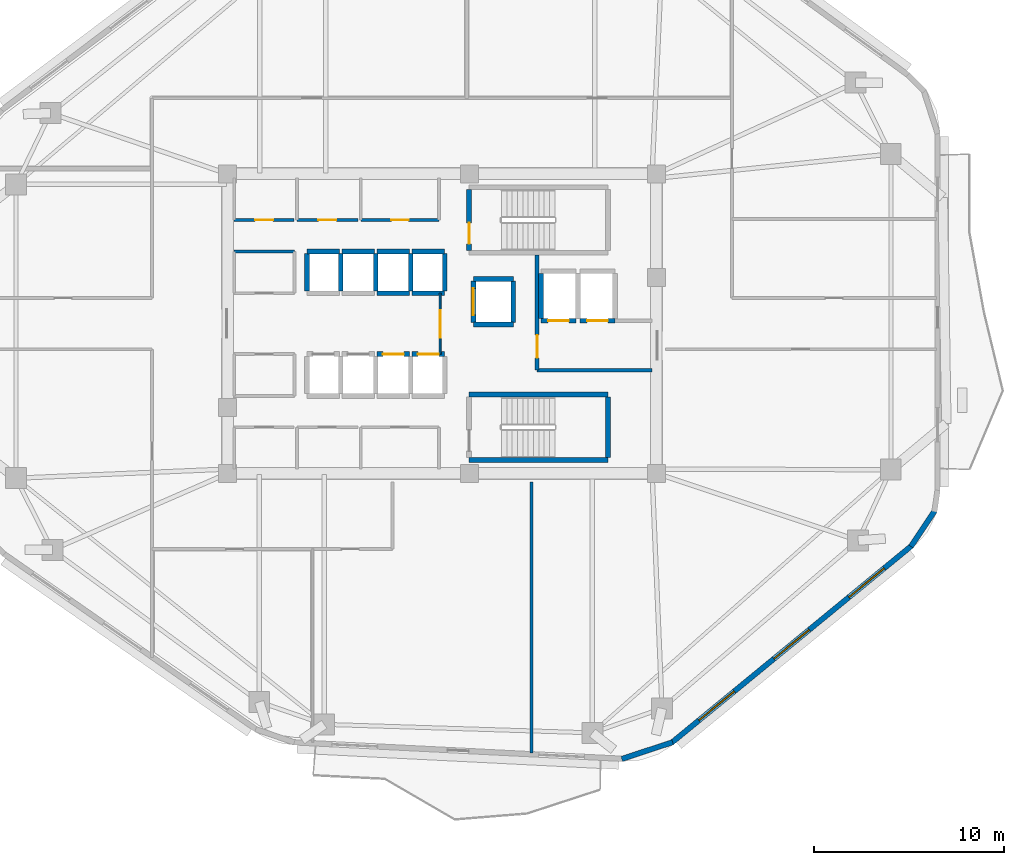
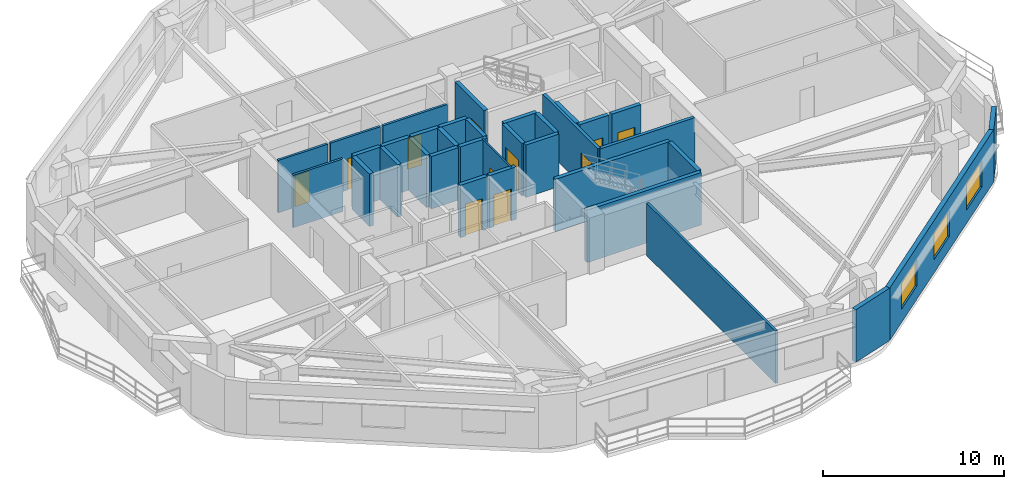
# One storey, part 9 of 14: 35 walls, 11 doors, 3 windows, 14 openings.
"""IFC4 building model written with IfcOpenShell, lengths in metres."""

from ifc_helpers import new_model, si_unit, direction, frame, frame_2d, origin, place, context, subcontext, project, spatial, rectangle, extrude, material, layer, layer_set, type_object, element, fill, save


model = new_model("IFC4")

# Units and contexts
model_context = context("Model", 3, precision=1e-05, world=origin(), true_north=direction((0.0, 1.0)))
body_context = subcontext(model_context, "Body", "Model", "MODEL_VIEW")
ifc_project = project(units=[si_unit("LENGTHUNIT", "METRE"), si_unit("AREAUNIT", "SQUARE_METRE"), si_unit("VOLUMEUNIT", "CUBIC_METRE"), si_unit("PLANEANGLEUNIT", "RADIAN"), si_unit("MASSUNIT", "GRAM", prefix="KILO")], contexts=[model_context])

# Site, building, storey
site_placement = place(None, origin())
site = spatial("IfcSite", under=ifc_project, at=site_placement, CompositionType="ELEMENT")
building_placement = place(site_placement, origin())
building = spatial("IfcBuilding", under=site, at=building_placement, Name="Zulverin Broadcast Headquarters", CompositionType="ELEMENT")
storey_placement = place(building_placement, frame((0.0, 0.0, 147.800048828125)))
storey = spatial("IfcBuildingStorey", under=building, at=storey_placement, Name="L37", CompositionType="ELEMENT", Elevation=147.800048828125)

# Wall, openings, windows
ifc_material_1 = material(Name="Insulated pale-metal clad concrete spandrel C40/50", Category="concrete")
ifc_layer_1 = layer(ifc_material_1, 0.280029296875, Name="Insulated pale-metal clad concrete spandrel C40/50", Category="concrete")
ifc_layer_set_1 = layer_set([ifc_layer_1], Name="Insulated pale-metal clad concrete spandrel C40/50")
wall_type_1 = type_object("IfcWallType", Name="WL-EXT-280", PredefinedType="STANDARD", material=ifc_layer_set_1)
wall_1_placement = place(storey_placement, frame((49.080078125, 3.164306640625, 0.0), z_axis=(0.0, 0.0, 1.0), x_axis=(0.772937830186, 0.634481765433, 0.0)))
wall_1 = element("IfcWall", 1, at=wall_1_placement, inside=storey, type_object=wall_type_1, Name="L37 Pale-Metal Clad Spandrel Wall 2", PredefinedType="STANDARD", context=body_context, shape_type="SweptSolid", body=[
    extrude(rectangle(XDim=16.308837890625, YDim=0.280029296875, at=frame_2d((8.154296875, 0.0))), origin(), (0.0, 0.0, 1.0), 3.5400390625),
])
opening_1_placement = place(wall_1_placement, frame((1.8515625, 0.0, 0.89990234375)))
opening_1 = element("IfcOpeningElement", 2, at=opening_1_placement, cuts=wall_1, Name="Opening W-L37-E21", PredefinedType="OPENING", context=body_context, shape_type="SweptSolid", body=[
    extrude(rectangle(XDim=2.39990234375, YDim=1.75, at=frame_2d((1.199951171875, 0.875))), frame((0.0, 0.14990234375, 0.0), z_axis=(0.0, -1.0, 0.0), x_axis=(1.0, 0.0, 0.0)), (0.0, 0.0, 1.0), 0.300048828125),
])
opening_2_placement = place(wall_1_placement, frame((6.954345703125, 0.0, 0.89990234375)))
opening_2 = element("IfcOpeningElement", 3, at=opening_2_placement, cuts=wall_1, Name="Opening W-L37-E22", PredefinedType="OPENING", context=body_context, shape_type="SweptSolid", body=[
    extrude(rectangle(XDim=2.39990234375, YDim=1.75, at=frame_2d((1.199951171875, 0.875))), frame((0.0, 0.14990234375, 0.0), z_axis=(0.0, -1.0, 0.0), x_axis=(1.0, 0.0, 0.0)), (0.0, 0.0, 1.0), 0.300048828125),
])
opening_3_placement = place(wall_1_placement, frame((12.057373046875, 0.0, 0.89990234375)))
opening_3 = element("IfcOpeningElement", 4, at=opening_3_placement, cuts=wall_1, Name="Opening W-L37-E23", PredefinedType="OPENING", context=body_context, shape_type="SweptSolid", body=[
    extrude(rectangle(XDim=2.39990234375, YDim=1.75, at=frame_2d((1.199951171875, 0.875))), frame((0.0, 0.14990234375, 0.0), z_axis=(0.0, -1.0, 0.0), x_axis=(1.0, 0.0, 0.0)), (0.0, 0.0, 1.0), 0.300048828125),
])
ifc_material_2 = material(Name="Pale anodized aluminium frame with solar-control low-E double glazing", Category="aluminium")
window_type = type_object("IfcWindowType", Name="WIN-RIB-2400", PartitioningType="SINGLE_PANEL", PredefinedType="WINDOW", material=ifc_material_2)
window_1_placement = place(opening_1_placement, origin())
window_1 = element("IfcWindow", 5, at=window_1_placement, inside=storey, type_object=window_type, Name="L37 Ribbon Glazing Window 2 1", OverallHeight=1.75, OverallWidth=2.39990234375, PartitioningType="SINGLE_PANEL", PredefinedType="WINDOW", context=body_context, shape_type="SweptSolid", body=[
    extrude(rectangle(XDim=2.39990234375, YDim=1.75, at=frame_2d((1.199951171875, 0.875))), frame((0.0, 0.030029296875, 0.0), z_axis=(0.0, -1.0, 0.0), x_axis=(1.0, 0.0, 0.0)), (0.0, 0.0, 1.0), 0.06005859375),
])
fill(opening_1, window_1)
window_2_placement = place(opening_2_placement, origin())
window_2 = element("IfcWindow", 6, at=window_2_placement, inside=storey, type_object=window_type, Name="L37 Ribbon Glazing Window 2 2", OverallHeight=1.75, OverallWidth=2.39990234375, PartitioningType="SINGLE_PANEL", PredefinedType="WINDOW", context=body_context, shape_type="SweptSolid", body=[
    extrude(rectangle(XDim=2.39990234375, YDim=1.75, at=frame_2d((1.199951171875, 0.875))), frame((0.0, 0.030029296875, 0.0), z_axis=(0.0, -1.0, 0.0), x_axis=(1.0, 0.0, 0.0)), (0.0, 0.0, 1.0), 0.06005859375),
])
fill(opening_2, window_2)
window_3_placement = place(opening_3_placement, origin())
window_3 = element("IfcWindow", 7, at=window_3_placement, inside=storey, type_object=window_type, Name="L37 Ribbon Glazing Window 2 3", OverallHeight=1.75, OverallWidth=2.39990234375, PartitioningType="SINGLE_PANEL", PredefinedType="WINDOW", context=body_context, shape_type="SweptSolid", body=[
    extrude(rectangle(XDim=2.39990234375, YDim=1.75, at=frame_2d((1.199951171875, 0.875))), frame((0.0, 0.030029296875, 0.0), z_axis=(0.0, -1.0, 0.0), x_axis=(1.0, 0.0, 0.0)), (0.0, 0.0, 1.0), 0.06005859375),
])
fill(opening_3, window_3)

# Walls
wall_2_placement = place(storey_placement, frame((46.455078125, 2.30859375, 0.0), z_axis=(0.0, 0.0, 1.0), x_axis=(0.949677222099, 0.313230224955, 0.0)))
element("IfcWall", 8, at=wall_2_placement, inside=storey, type_object=wall_type_1, Name="L37 Wind-Shaped Corner Spandrel Wall 1-1", PredefinedType="STANDARD", context=body_context, shape_type="SweptSolid", body=[
    extrude(rectangle(XDim=2.811279296875, YDim=0.280029296875, at=frame_2d((1.40576171875, 0.0))), origin(), (0.0, 0.0, 1.0), 3.5400390625),
])
wall_3_placement = place(storey_placement, frame((61.658203125, 13.481689453125, 0.0), z_axis=(0.0, 0.0, 1.0), x_axis=(0.555521224344, 0.831502356764, 0.0)))
element("IfcWall", 9, at=wall_3_placement, inside=storey, type_object=wall_type_1, Name="L37 Wind-Shaped Corner Spandrel Wall 2-1", PredefinedType="STANDARD", context=body_context, shape_type="SweptSolid", body=[
    extrude(rectangle(XDim=2.263671875, YDim=0.280029296875, at=frame_2d((1.1318359375, 0.0))), origin(), (0.0, 0.0, 1.0), 3.5400390625),
])

# Wall, opening, door
ifc_material_3 = material(Name="Concrete C40/50", Category="concrete")
ifc_layer_2 = layer(ifc_material_3, 0.199951171875, Name="Concrete C40/50", Category="concrete")
ifc_layer_set_2 = layer_set([ifc_layer_2], Name="Concrete C40/50")
wall_type_2 = type_object("IfcWallType", Name="WL-FFL-200", PredefinedType="SOLIDWALL", material=ifc_layer_set_2)
wall_4_placement = place(storey_placement, frame((42.0, 22.75, 0.0), z_axis=(0.0, 0.0, 1.0), x_axis=(0.0, 1.0, 0.0)))
wall_4 = element("IfcWall", 10, at=wall_4_placement, inside=storey, type_object=wall_type_2, Name="L37 Firefighting Lift Lobby West Wall", PredefinedType="SOLIDWALL", context=body_context, shape_type="SweptSolid", body=[
    extrude(rectangle(XDim=6.050048828125, YDim=0.199951171875, at=frame_2d((3.02490234375, 0.0))), origin(), (0.0, 0.0, 1.0), 3.5400390625),
])
opening_4_placement = place(wall_4_placement, frame((0.64990234375, 0.0, 0.0)))
opening_4 = element("IfcOpeningElement", 11, at=opening_4_placement, cuts=wall_4, Name="Opening D-L37-FFLW", PredefinedType="OPENING", context=body_context, shape_type="SweptSolid", body=[
    extrude(rectangle(XDim=1.199951171875, YDim=2.14990234375, at=frame_2d((0.60009765625, 1.074951171875))), frame((0.0, 0.10986328125, 0.0), z_axis=(0.0, -1.0, 0.0), x_axis=(1.0, 0.0, 0.0)), (0.0, 0.0, 1.0), 0.219970703125),
])
ifc_material_4 = material(Name="Fire-rated steel leaf and frame", Category="steel")
door_type_1 = type_object("IfcDoorType", Name="DR-FFL-1200", OperationType="SINGLE_SWING_RIGHT", PredefinedType="DOOR", material=ifc_material_4)
door_1_placement = place(opening_4_placement, origin())
door_1 = element("IfcDoor", 12, at=door_1_placement, inside=storey, type_object=door_type_1, Name="L37 Firefighting Lift Lobby Door", OperationType="SINGLE_SWING_RIGHT", OverallHeight=2.14990234375, OverallWidth=1.199951171875, PredefinedType="DOOR", context=body_context, shape_type="SweptSolid", body=[
    extrude(rectangle(XDim=1.199951171875, YDim=2.14990234375, at=frame_2d((0.60009765625, 1.074951171875))), frame((0.0, 0.02490234375, 0.0), z_axis=(0.0, -1.0, 0.0), x_axis=(1.0, 0.0, 0.0)), (0.0, 0.0, 1.0), 0.050048828125),
])
fill(opening_4, door_1)

# Wall
wall_5_placement = place(storey_placement, frame((42.0, 22.75, 0.0), z_axis=(0.0, 0.0, 1.0), x_axis=(1.0, 0.0, 0.0)))
element("IfcWall", 13, at=wall_5_placement, inside=storey, type_object=wall_type_2, Name="L37 Firefighting Lift Lobby South Wall", PredefinedType="SOLIDWALL", context=body_context, shape_type="SweptSolid", body=[
    extrude(rectangle(XDim=6.050048828125, YDim=0.199951171875, at=frame_2d((3.02490234375, 0.0))), origin(), (0.0, 0.0, 1.0), 3.5400390625),
])

# Wall, opening, door
ifc_material_5 = material(Name="Fire-rated acoustic laminated glass screen", Category="glass")
ifc_layer_3 = layer(ifc_material_5, 0.10009765625, Name="Fire-rated acoustic laminated glass screen", Category="glass")
ifc_layer_set_3 = layer_set([ifc_layer_3], Name="Fire-rated acoustic laminated glass screen")
wall_type_3 = type_object("IfcWallType", Name="WL-GLAZ-100", PredefinedType="PARTITIONING", material=ifc_layer_set_3)
wall_6_placement = place(storey_placement, frame((36.89990234375, 23.60009765625, 0.0), z_axis=(0.0, 0.0, 1.0), x_axis=(0.0, 1.0, 0.0)))
wall_6 = element("IfcWall", 14, at=wall_6_placement, inside=storey, type_object=wall_type_3, Name="L37 Core Goods & Stair Hall Screen", PredefinedType="PARTITIONING", context=body_context, shape_type="SweptSolid", body=[
    extrude(rectangle(XDim=3.199951171875, YDim=0.10009765625, at=frame_2d((1.60009765625, 0.0))), origin(), (0.0, 0.0, 1.0), 3.5400390625),
])
opening_5_placement = place(wall_6_placement, frame((0.85009765625, 0.0, 0.0)))
opening_5 = element("IfcOpeningElement", 15, at=opening_5_placement, cuts=wall_6, Name="Opening D-L37-CL3", PredefinedType="OPENING", context=body_context, shape_type="SweptSolid", body=[
    extrude(rectangle(XDim=1.449951171875, YDim=2.1201171875, at=frame_2d((0.72509765625, 1.06005859375))), frame((0.0, 0.06005859375, 0.0), z_axis=(0.0, -1.0, 0.0), x_axis=(1.0, 0.0, 0.0)), (0.0, 0.0, 1.0), 0.1201171875),
])
ifc_material_6 = material(Name="Fire-rated acoustic glazed double leaf", Category="glass")
door_type_2 = type_object("IfcDoorType", Name="DR-GLZ-1450", OperationType="DOUBLE_DOOR_SINGLE_SWING", PredefinedType="DOOR", material=ifc_material_6)
door_2_placement = place(opening_5_placement, origin())
door_2 = element("IfcDoor", 16, at=door_2_placement, inside=storey, type_object=door_type_2, Name="L37 Core Goods & Stair Hall Door", OperationType="DOUBLE_DOOR_SINGLE_SWING", OverallHeight=2.1201171875, OverallWidth=1.449951171875, PredefinedType="DOOR", context=body_context, shape_type="SweptSolid", body=[
    extrude(rectangle(XDim=1.449951171875, YDim=2.1201171875, at=frame_2d((0.72509765625, 1.06005859375))), frame((0.0, 0.02490234375, 0.0), z_axis=(0.0, -1.0, 0.0), x_axis=(1.0, 0.0, 0.0)), (0.0, 0.0, 1.0), 0.050048828125),
])
fill(opening_5, door_2)

ifc_material_7 = material(Name="Fire-rated gypsum stud partition", Category="gypsum")
ifc_layer_4 = layer(ifc_material_7, 0.14990234375, Name="Fire-rated gypsum stud partition", Category="gypsum")
ifc_layer_set_4 = layer_set([ifc_layer_4], Name="Fire-rated gypsum stud partition")
wall_type_4 = type_object("IfcWallType", Name="WL-PART-150", PredefinedType="PARTITIONING", material=ifc_layer_set_4)
wall_7_placement = place(storey_placement, frame((26.070068359375, 30.64990234375, 0.0), z_axis=(0.0, 0.0, 1.0), x_axis=(1.0, 0.0, 0.0)))
wall_7 = element("IfcWall", 17, at=wall_7_placement, inside=storey, type_object=wall_type_4, Name="L37 Core Male WC Front Wall", PredefinedType="PARTITIONING", context=body_context, shape_type="SweptSolid", body=[
    extrude(rectangle(XDim=3.14990234375, YDim=0.14990234375, at=frame_2d((1.574951171875, 0.0))), origin(), (0.0, 0.0, 1.0), 3.5400390625),
])
opening_6_placement = place(wall_7_placement, frame((1.10009765625, 0.0, 0.0)))
opening_6 = element("IfcOpeningElement", 18, at=opening_6_placement, cuts=wall_7, Name="Opening D-L37-NC1", PredefinedType="OPENING", context=body_context, shape_type="SweptSolid", body=[
    extrude(rectangle(XDim=0.949951171875, YDim=2.10009765625, at=frame_2d((0.47509765625, 1.050048828125))), frame((0.0, 0.0849609375, 0.0), z_axis=(0.0, -1.0, 0.0), x_axis=(1.0, 0.0, 0.0)), (0.0, 0.0, 1.0), 0.169921875),
])
ifc_material_8 = material(Name="Fire-rated moisture-resistant laminate leaf", Category="wood")
door_type_3 = type_object("IfcDoorType", Name="DR-WC-950", OperationType="SINGLE_SWING_LEFT", PredefinedType="DOOR", material=ifc_material_8)
door_3_placement = place(opening_6_placement, origin())
door_3 = element("IfcDoor", 19, at=door_3_placement, inside=storey, type_object=door_type_3, Name="L37 Male WC Door", OperationType="SINGLE_SWING_LEFT", OverallHeight=2.10009765625, OverallWidth=0.949951171875, PredefinedType="DOOR", context=body_context, shape_type="SweptSolid", body=[
    extrude(rectangle(XDim=0.949951171875, YDim=2.10009765625, at=frame_2d((0.47509765625, 1.050048828125))), frame((0.0, 0.02490234375, 0.0), z_axis=(0.0, -1.0, 0.0), x_axis=(1.0, 0.0, 0.0)), (0.0, 0.0, 1.0), 0.050048828125),
])
fill(opening_6, door_3)

wall_8_placement = place(storey_placement, frame((29.3798828125, 30.64990234375, 0.0), z_axis=(0.0, 0.0, 1.0), x_axis=(1.0, 0.0, 0.0)))
wall_8 = element("IfcWall", 20, at=wall_8_placement, inside=storey, type_object=wall_type_4, Name="L37 Core Accessible WC Front Wall", PredefinedType="PARTITIONING", context=body_context, shape_type="SweptSolid", body=[
    extrude(rectangle(XDim=3.190185546875, YDim=0.14990234375, at=frame_2d((1.59521484375, 0.0))), origin(), (0.0, 0.0, 1.0), 3.5400390625),
])
opening_7_placement = place(wall_8_placement, frame((1.1201171875, 0.0, 0.0)))
opening_7 = element("IfcOpeningElement", 21, at=opening_7_placement, cuts=wall_8, Name="Opening D-L37-NC2", PredefinedType="OPENING", context=body_context, shape_type="SweptSolid", body=[
    extrude(rectangle(XDim=0.949951171875, YDim=2.10009765625, at=frame_2d((0.47509765625, 1.050048828125))), frame((0.0, 0.0849609375, 0.0), z_axis=(0.0, -1.0, 0.0), x_axis=(1.0, 0.0, 0.0)), (0.0, 0.0, 1.0), 0.169921875),
])
door_4_placement = place(opening_7_placement, origin())
door_4 = element("IfcDoor", 22, at=door_4_placement, inside=storey, type_object=door_type_3, Name="L37 Accessible WC Door", OperationType="SINGLE_SWING_RIGHT", OverallHeight=2.10009765625, OverallWidth=0.949951171875, PredefinedType="DOOR", context=body_context, shape_type="SweptSolid", body=[
    extrude(rectangle(XDim=0.949951171875, YDim=2.10009765625, at=frame_2d((0.47509765625, 1.050048828125))), frame((0.0, 0.02490234375, 0.0), z_axis=(0.0, -1.0, 0.0), x_axis=(1.0, 0.0, 0.0)), (0.0, 0.0, 1.0), 0.050048828125),
])
fill(opening_7, door_4)

wall_9_placement = place(storey_placement, frame((32.72998046875, 30.64990234375, 0.0), z_axis=(0.0, 0.0, 1.0), x_axis=(1.0, 0.0, 0.0)))
wall_9 = element("IfcWall", 23, at=wall_9_placement, inside=storey, type_object=wall_type_4, Name="L37 Core Electrical Distribution Riser Front Wall", PredefinedType="PARTITIONING", context=body_context, shape_type="SweptSolid", body=[
    extrude(rectangle(XDim=4.1201171875, YDim=0.14990234375, at=frame_2d((2.06005859375, 0.0))), origin(), (0.0, 0.0, 1.0), 3.5400390625),
])
opening_8_placement = place(wall_9_placement, frame((1.610107421875, 0.0, 0.0)))
opening_8 = element("IfcOpeningElement", 24, at=opening_8_placement, cuts=wall_9, Name="Opening D-L37-NC3", PredefinedType="OPENING", context=body_context, shape_type="SweptSolid", body=[
    extrude(rectangle(XDim=0.89990234375, YDim=2.10009765625, at=frame_2d((0.449951171875, 1.050048828125))), frame((0.0, 0.0849609375, 0.0), z_axis=(0.0, -1.0, 0.0), x_axis=(1.0, 0.0, 0.0)), (0.0, 0.0, 1.0), 0.169921875),
])
ifc_material_9 = material(Name="Powder-coated steel access leaf", Category="steel")
door_type_4 = type_object("IfcDoorType", Name="DR-RISER-900", OperationType="SINGLE_SWING_LEFT", PredefinedType="DOOR", material=ifc_material_9)
door_5_placement = place(opening_8_placement, origin())
door_5 = element("IfcDoor", 25, at=door_5_placement, inside=storey, type_object=door_type_4, Name="L37 Electrical Distribution Riser Door", OperationType="SINGLE_SWING_LEFT", OverallHeight=2.10009765625, OverallWidth=0.89990234375, PredefinedType="DOOR", context=body_context, shape_type="SweptSolid", body=[
    extrude(rectangle(XDim=0.89990234375, YDim=2.10009765625, at=frame_2d((0.449951171875, 1.050048828125))), frame((0.0, 0.02490234375, 0.0), z_axis=(0.0, -1.0, 0.0), x_axis=(1.0, 0.0, 0.0)), (0.0, 0.0, 1.0), 0.050048828125),
])
fill(opening_8, door_5)

# Walls
wall_10_placement = place(storey_placement, frame((26.070068359375, 29.0, 0.0), z_axis=(0.0, 0.0, 1.0), x_axis=(1.0, 0.0, 0.0)))
element("IfcWall", 26, at=wall_10_placement, inside=storey, type_object=wall_type_4, Name="L37 Core UPS Battery Store N Wall", PredefinedType="PARTITIONING", context=body_context, shape_type="SweptSolid", body=[
    extrude(rectangle(XDim=3.179931640625, YDim=0.14990234375, at=frame_2d((1.58984375, 0.0))), origin(), (0.0, 0.0, 1.0), 3.5400390625),
])
wall_11_placement = place(storey_placement, frame((41.699951171875, 2.621337890625, 0.0), z_axis=(0.0, 0.0, 1.0), x_axis=(0.0, 1.0, 0.0)))
element("IfcWall", 27, at=wall_11_placement, inside=storey, type_object=wall_type_4, Name="L37 Room Partition Wall RP-02", PredefinedType="PARTITIONING", context=body_context, shape_type="SweptSolid", body=[
    extrude(rectangle(XDim=14.23876953125, YDim=0.14990234375, at=frame_2d((7.119384765625, 0.0))), origin(), (0.0, 0.0, 1.0), 3.5400390625),
])

# Wall, opening, door
ifc_material_10 = material(Name="Concrete C50/60", Category="concrete")
ifc_layer_5 = layer(ifc_material_10, 0.25, Name="Concrete C50/60", Category="concrete")
ifc_layer_set_5 = layer_set([ifc_layer_5], Name="Concrete C50/60")
wall_type_5 = type_object("IfcWallType", Name="WL-SHAFT-250", PredefinedType="SHEAR", material=ifc_layer_set_5)
wall_12_placement = place(storey_placement, frame((38.425048828125, 29.050048828125, 0.0), z_axis=(0.0, 0.0, 1.0), x_axis=(0.0, 1.0, 0.0)))
wall_12 = element("IfcWall", 28, at=wall_12_placement, inside=storey, type_object=wall_type_5, Name="L37 ST-1 Enclosure Wall W", PredefinedType="SHEAR", context=body_context, shape_type="SweptSolid", body=[
    extrude(rectangle(XDim=3.199951171875, YDim=0.25, at=frame_2d((1.60009765625, 0.0))), origin(), (0.0, 0.0, 1.0), 3.5400390625),
])
opening_9_placement = place(wall_12_placement, frame((0.35009765625, 0.0, 0.0)))
opening_9 = element("IfcOpeningElement", 29, at=opening_9_placement, cuts=wall_12, Name="Opening D-L37-ST-1", PredefinedType="OPENING", context=body_context, shape_type="SweptSolid", body=[
    extrude(rectangle(XDim=1.10009765625, YDim=2.14990234375, at=frame_2d((0.550048828125, 1.074951171875))), frame((0.0, 0.135009765625, 0.0), z_axis=(0.0, -1.0, 0.0), x_axis=(1.0, 0.0, 0.0)), (0.0, 0.0, 1.0), 0.27001953125),
])
door_type_5 = type_object("IfcDoorType", Name="DR-STAIR-1100", OperationType="SINGLE_SWING_LEFT", PredefinedType="DOOR", material=ifc_material_4)
door_6_placement = place(opening_9_placement, origin())
door_6 = element("IfcDoor", 30, at=door_6_placement, inside=storey, type_object=door_type_5, Name="L37 Exit Stair ST-1 Fire Door", OperationType="SINGLE_SWING_LEFT", OverallHeight=2.14990234375, OverallWidth=1.10009765625, PredefinedType="DOOR", context=body_context, shape_type="SweptSolid", body=[
    extrude(rectangle(XDim=1.10009765625, YDim=2.14990234375, at=frame_2d((0.550048828125, 1.074951171875))), frame((0.0, 0.02490234375, 0.0), z_axis=(0.0, -1.0, 0.0), x_axis=(1.0, 0.0, 0.0)), (0.0, 0.0, 1.0), 0.050048828125),
])
fill(opening_9, door_6)

# Walls
for number, where, z_axis, x_axis, name in (
    (31, (38.425048828125, 18.02490234375, 0.0), (0.0, 0.0, 1.0), (1.0, 0.0, 0.0), "L37 ST-2 Enclosure Wall S"),
    (32, (38.425048828125, 21.47509765625, 0.0), (0.0, 0.0, 1.0), (1.0, 0.0, 0.0), "L37 ST-2 Enclosure Wall N"),
):
    element("IfcWall", number, at=place(storey_placement, frame(where, z_axis=z_axis, x_axis=x_axis)), inside=storey, type_object=wall_type_5, Name=name, PredefinedType="SHEAR", context=body_context, shape_type="SweptSolid", body=[
        extrude(rectangle(XDim=7.300048828125, YDim=0.25, at=frame_2d((3.64990234375, 0.0))), origin(), (0.0, 0.0, 1.0), 3.5400390625),
    ])
wall_13_placement = place(storey_placement, frame((45.72509765625, 18.14990234375, 0.0), z_axis=(0.0, 0.0, 1.0), x_axis=(0.0, 1.0, 0.0)))
element("IfcWall", 33, at=wall_13_placement, inside=storey, type_object=wall_type_5, Name="L37 ST-2 Enclosure Wall E", PredefinedType="SHEAR", context=body_context, shape_type="SweptSolid", body=[
    extrude(rectangle(XDim=3.2001953125, YDim=0.25, at=frame_2d((1.60009765625, 0.0))), origin(), (0.0, 0.0, 1.0), 3.5400390625),
])

# Wall, opening, door
wall_14_placement = place(storey_placement, frame((33.580078125, 23.60009765625, 0.0), z_axis=(0.0, 0.0, 1.0), x_axis=(1.0, 0.0, 0.0)))
wall_14 = element("IfcWall", 34, at=wall_14_placement, inside=storey, type_object=wall_type_5, Name="L37 Lift PL-M3 Shaft Wall N", PredefinedType="SHEAR", context=body_context, shape_type="SweptSolid", body=[
    extrude(rectangle(XDim=1.719970703125, YDim=0.25, at=frame_2d((0.85986328125, 0.0))), origin(), (0.0, 0.0, 1.0), 3.5400390625),
])
opening_10_placement = place(wall_14_placement, frame((0.31005859375, 0.0, 0.0)))
opening_10 = element("IfcOpeningElement", 35, at=opening_10_placement, cuts=wall_14, Name="Opening LD-PL-M3-L37", PredefinedType="OPENING", context=body_context, shape_type="SweptSolid", body=[
    extrude(rectangle(XDim=1.10009765625, YDim=2.14990234375, at=frame_2d((0.550048828125, 1.074951171875))), frame((0.0, 0.135009765625, 0.0), z_axis=(0.0, -1.0, 0.0), x_axis=(1.0, 0.0, 0.0)), (0.0, 0.0, 1.0), 0.27001953125),
])
ifc_material_11 = material(Name="Brushed stainless steel landing", Category="steel")
door_type_6 = type_object("IfcDoorType", Name="LD-PASS-1100", OperationType="DOUBLE_DOOR_SLIDING", PredefinedType="DOOR", material=ifc_material_11)
door_7_placement = place(opening_10_placement, origin())
door_7 = element("IfcDoor", 36, at=door_7_placement, inside=storey, type_object=door_type_6, Name="L37 Lift PL-M3 Sliding Landing Door", OperationType="DOUBLE_DOOR_SLIDING", OverallHeight=2.14990234375, OverallWidth=1.10009765625, PredefinedType="DOOR", context=body_context, shape_type="SweptSolid", body=[
    extrude(rectangle(XDim=1.10009765625, YDim=2.14990234375, at=frame_2d((0.550048828125, 1.074951171875))), frame((0.0, 0.02490234375, 0.0), z_axis=(0.0, -1.0, 0.0), x_axis=(1.0, 0.0, 0.0)), (0.0, 0.0, 1.0), 0.050048828125),
])
fill(opening_10, door_7)

wall_15_placement = place(storey_placement, frame((35.419921875, 23.60009765625, 0.0), z_axis=(0.0, 0.0, 1.0), x_axis=(1.0, 0.0, 0.0)))
wall_15 = element("IfcWall", 37, at=wall_15_placement, inside=storey, type_object=wall_type_5, Name="L37 Lift PL-M4 Shaft Wall N", PredefinedType="SHEAR", context=body_context, shape_type="SweptSolid", body=[
    extrude(rectangle(XDim=1.719970703125, YDim=0.25, at=frame_2d((0.85986328125, 0.0))), origin(), (0.0, 0.0, 1.0), 3.5400390625),
])
opening_11_placement = place(wall_15_placement, frame((0.31005859375, 0.0, 0.0)))
opening_11 = element("IfcOpeningElement", 38, at=opening_11_placement, cuts=wall_15, Name="Opening LD-PL-M4-L37", PredefinedType="OPENING", context=body_context, shape_type="SweptSolid", body=[
    extrude(rectangle(XDim=1.10009765625, YDim=2.14990234375, at=frame_2d((0.550048828125, 1.074951171875))), frame((0.0, 0.135009765625, 0.0), z_axis=(0.0, -1.0, 0.0), x_axis=(1.0, 0.0, 0.0)), (0.0, 0.0, 1.0), 0.27001953125),
])
door_8_placement = place(opening_11_placement, origin())
door_8 = element("IfcDoor", 39, at=door_8_placement, inside=storey, type_object=door_type_6, Name="L37 Lift PL-M4 Sliding Landing Door", OperationType="DOUBLE_DOOR_SLIDING", OverallHeight=2.14990234375, OverallWidth=1.10009765625, PredefinedType="DOOR", context=body_context, shape_type="SweptSolid", body=[
    extrude(rectangle(XDim=1.10009765625, YDim=2.14990234375, at=frame_2d((0.550048828125, 1.074951171875))), frame((0.0, 0.02490234375, 0.0), z_axis=(0.0, -1.0, 0.0), x_axis=(1.0, 0.0, 0.0)), (0.0, 0.0, 1.0), 0.050048828125),
])
fill(opening_11, door_8)

# Walls
wall_16_placement = place(storey_placement, frame((29.89990234375, 29.0, 0.0), z_axis=(0.0, 0.0, 1.0), x_axis=(1.0, 0.0, 0.0)))
element("IfcWall", 40, at=wall_16_placement, inside=storey, type_object=wall_type_5, Name="L37 Lift PL-H1 Shaft Wall N", PredefinedType="SHEAR", context=body_context, shape_type="SweptSolid", body=[
    extrude(rectangle(XDim=1.72021484375, YDim=0.25, at=frame_2d((0.860107421875, 0.0))), origin(), (0.0, 0.0, 1.0), 3.5400390625),
])
for number, where, z_axis, x_axis, name in (
    (41, (29.89990234375, 26.919921875, 0.0), (0.0, 0.0, 1.0), (0.0, 1.0, 0.0), "L37 Lift PL-H1 Shaft Wall W"),
    (42, (31.679931640625, 26.919921875, 0.0), (0.0, 0.0, 1.0), (0.0, 1.0, 0.0), "L37 Lift PL-H1 Shaft Wall E"),
):
    element("IfcWall", number, at=place(storey_placement, frame(where, z_axis=z_axis, x_axis=x_axis)), inside=storey, type_object=wall_type_5, Name=name, PredefinedType="SHEAR", context=body_context, shape_type="SweptSolid", body=[
        extrude(rectangle(XDim=1.9599609375, YDim=0.25, at=frame_2d((0.97998046875, 0.0))), origin(), (0.0, 0.0, 1.0), 3.5400390625),
    ])
wall_17_placement = place(storey_placement, frame((31.739990234375, 29.0, 0.0), z_axis=(0.0, 0.0, 1.0), x_axis=(1.0, 0.0, 0.0)))
element("IfcWall", 43, at=wall_17_placement, inside=storey, type_object=wall_type_5, Name="L37 Lift PL-H2 Shaft Wall N", PredefinedType="SHEAR", context=body_context, shape_type="SweptSolid", body=[
    extrude(rectangle(XDim=1.719970703125, YDim=0.25, at=frame_2d((0.85986328125, 0.0))), origin(), (0.0, 0.0, 1.0), 3.5400390625),
])
wall_18_placement = place(storey_placement, frame((33.52001953125, 26.919921875, 0.0), z_axis=(0.0, 0.0, 1.0), x_axis=(0.0, 1.0, 0.0)))
element("IfcWall", 44, at=wall_18_placement, inside=storey, type_object=wall_type_5, Name="L37 Lift PL-H2 Shaft Wall E", PredefinedType="SHEAR", context=body_context, shape_type="SweptSolid", body=[
    extrude(rectangle(XDim=1.9599609375, YDim=0.25, at=frame_2d((0.97998046875, 0.0))), origin(), (0.0, 0.0, 1.0), 3.5400390625),
])
for number, where, z_axis, x_axis, name in (
    (45, (33.580078125, 26.800048828125, 0.0), (0.0, 0.0, 1.0), (1.0, 0.0, 0.0), "L37 Lift PL-H3 Shaft Wall S"),
    (46, (33.580078125, 29.0, 0.0), (0.0, 0.0, 1.0), (1.0, 0.0, 0.0), "L37 Lift PL-H3 Shaft Wall N"),
):
    element("IfcWall", number, at=place(storey_placement, frame(where, z_axis=z_axis, x_axis=x_axis)), inside=storey, type_object=wall_type_5, Name=name, PredefinedType="SHEAR", context=body_context, shape_type="SweptSolid", body=[
        extrude(rectangle(XDim=1.719970703125, YDim=0.25, at=frame_2d((0.85986328125, 0.0))), origin(), (0.0, 0.0, 1.0), 3.5400390625),
    ])
wall_19_placement = place(storey_placement, frame((35.360107421875, 26.919921875, 0.0), z_axis=(0.0, 0.0, 1.0), x_axis=(0.0, 1.0, 0.0)))
element("IfcWall", 47, at=wall_19_placement, inside=storey, type_object=wall_type_5, Name="L37 Lift PL-H3 Shaft Wall E", PredefinedType="SHEAR", context=body_context, shape_type="SweptSolid", body=[
    extrude(rectangle(XDim=1.9599609375, YDim=0.25, at=frame_2d((0.97998046875, 0.0))), origin(), (0.0, 0.0, 1.0), 3.5400390625),
])
for number, where, z_axis, x_axis, name in (
    (48, (35.419921875, 26.800048828125, 0.0), (0.0, 0.0, 1.0), (1.0, 0.0, 0.0), "L37 Lift PL-H4 Shaft Wall S"),
    (49, (35.419921875, 29.0, 0.0), (0.0, 0.0, 1.0), (1.0, 0.0, 0.0), "L37 Lift PL-H4 Shaft Wall N"),
):
    element("IfcWall", number, at=place(storey_placement, frame(where, z_axis=z_axis, x_axis=x_axis)), inside=storey, type_object=wall_type_5, Name=name, PredefinedType="SHEAR", context=body_context, shape_type="SweptSolid", body=[
        extrude(rectangle(XDim=1.719970703125, YDim=0.25, at=frame_2d((0.85986328125, 0.0))), origin(), (0.0, 0.0, 1.0), 3.5400390625),
    ])
wall_20_placement = place(storey_placement, frame((37.139892578125, 26.919921875, 0.0), z_axis=(0.0, 0.0, 1.0), x_axis=(0.0, 1.0, 0.0)))
element("IfcWall", 50, at=wall_20_placement, inside=storey, type_object=wall_type_5, Name="L37 Lift PL-H4 Shaft Wall E", PredefinedType="SHEAR", context=body_context, shape_type="SweptSolid", body=[
    extrude(rectangle(XDim=1.9599609375, YDim=0.25, at=frame_2d((0.97998046875, 0.0))), origin(), (0.0, 0.0, 1.0), 3.5400390625),
])

# Wall, opening, door
wall_21_placement = place(storey_placement, frame((42.199951171875, 25.35009765625, 0.0), z_axis=(0.0, 0.0, 1.0), x_axis=(1.0, 0.0, 0.0)))
wall_21 = element("IfcWall", 51, at=wall_21_placement, inside=storey, type_object=wall_type_5, Name="L37 Lift FFL-1 Shaft Wall S", PredefinedType="SHEAR", context=body_context, shape_type="SweptSolid", body=[
    extrude(rectangle(XDim=1.85009765625, YDim=0.25, at=frame_2d((0.925048828125, 0.0))), origin(), (0.0, 0.0, 1.0), 3.5400390625),
])
opening_12_placement = place(wall_21_placement, frame((0.375, 0.0, 0.0)))
opening_12 = element("IfcOpeningElement", 52, at=opening_12_placement, cuts=wall_21, Name="Opening LD-FFL-1-L37", PredefinedType="OPENING", context=body_context, shape_type="SweptSolid", body=[
    extrude(rectangle(XDim=1.10009765625, YDim=2.14990234375, at=frame_2d((0.550048828125, 1.074951171875))), frame((0.0, 0.135009765625, 0.0), z_axis=(0.0, -1.0, 0.0), x_axis=(1.0, 0.0, 0.0)), (0.0, 0.0, 1.0), 0.27001953125),
])
ifc_material_12 = material(Name="Fire-rated stainless landing door", Category="steel")
door_type_7 = type_object("IfcDoorType", Name="LD-FFL-1100", OperationType="DOUBLE_DOOR_SLIDING", PredefinedType="DOOR", material=ifc_material_12)
door_9_placement = place(opening_12_placement, origin())
door_9 = element("IfcDoor", 53, at=door_9_placement, inside=storey, type_object=door_type_7, Name="L37 Lift FFL-1 Sliding Landing Door", OperationType="DOUBLE_DOOR_SLIDING", OverallHeight=2.14990234375, OverallWidth=1.10009765625, PredefinedType="DOOR", context=body_context, shape_type="SweptSolid", body=[
    extrude(rectangle(XDim=1.10009765625, YDim=2.14990234375, at=frame_2d((0.550048828125, 1.074951171875))), frame((0.0, 0.02490234375, 0.0), z_axis=(0.0, -1.0, 0.0), x_axis=(1.0, 0.0, 0.0)), (0.0, 0.0, 1.0), 0.050048828125),
])
fill(opening_12, door_9)

# Wall
wall_22_placement = place(storey_placement, frame((42.199951171875, 25.469970703125, 0.0), z_axis=(0.0, 0.0, 1.0), x_axis=(0.0, 1.0, 0.0)))
element("IfcWall", 54, at=wall_22_placement, inside=storey, type_object=wall_type_5, Name="L37 Lift FFL-1 Shaft Wall W", PredefinedType="SHEAR", context=body_context, shape_type="SweptSolid", body=[
    extrude(rectangle(XDim=2.360107421875, YDim=0.25, at=frame_2d((1.18017578125, 0.0))), origin(), (0.0, 0.0, 1.0), 3.5400390625),
])

# Wall, opening, door
wall_23_placement = place(storey_placement, frame((44.25, 25.35009765625, 0.0), z_axis=(0.0, 0.0, 1.0), x_axis=(1.0, 0.0, 0.0)))
wall_23 = element("IfcWall", 55, at=wall_23_placement, inside=storey, type_object=wall_type_5, Name="L37 Lift FFL-2 Shaft Wall S", PredefinedType="SHEAR", context=body_context, shape_type="SweptSolid", body=[
    extrude(rectangle(XDim=1.85009765625, YDim=0.25, at=frame_2d((0.925048828125, 0.0))), origin(), (0.0, 0.0, 1.0), 3.5400390625),
])
opening_13_placement = place(wall_23_placement, frame((0.375, 0.0, 0.0)))
opening_13 = element("IfcOpeningElement", 56, at=opening_13_placement, cuts=wall_23, Name="Opening LD-FFL-2-L37", PredefinedType="OPENING", context=body_context, shape_type="SweptSolid", body=[
    extrude(rectangle(XDim=1.10009765625, YDim=2.14990234375, at=frame_2d((0.550048828125, 1.074951171875))), frame((0.0, 0.135009765625, 0.0), z_axis=(0.0, -1.0, 0.0), x_axis=(1.0, 0.0, 0.0)), (0.0, 0.0, 1.0), 0.27001953125),
])
door_10_placement = place(opening_13_placement, origin())
door_10 = element("IfcDoor", 57, at=door_10_placement, inside=storey, type_object=door_type_7, Name="L37 Lift FFL-2 Sliding Landing Door", OperationType="DOUBLE_DOOR_SLIDING", OverallHeight=2.14990234375, OverallWidth=1.10009765625, PredefinedType="DOOR", context=body_context, shape_type="SweptSolid", body=[
    extrude(rectangle(XDim=1.10009765625, YDim=2.14990234375, at=frame_2d((0.550048828125, 1.074951171875))), frame((0.0, 0.02490234375, 0.0), z_axis=(0.0, -1.0, 0.0), x_axis=(1.0, 0.0, 0.0)), (0.0, 0.0, 1.0), 0.050048828125),
])
fill(opening_13, door_10)

# Walls
for number, where, z_axis, x_axis, name in (
    (58, (38.64990234375, 25.14990234375, 0.0), (0.0, 0.0, 1.0), (1.0, 0.0, 0.0), "L37 Lift SVL-1 Shaft Wall S"),
    (59, (38.64990234375, 27.550048828125, 0.0), (0.0, 0.0, 1.0), (1.0, 0.0, 0.0), "L37 Lift SVL-1 Shaft Wall N"),
):
    element("IfcWall", number, at=place(storey_placement, frame(where, z_axis=z_axis, x_axis=x_axis)), inside=storey, type_object=wall_type_5, Name=name, PredefinedType="SHEAR", context=body_context, shape_type="SweptSolid", body=[
        extrude(rectangle(XDim=2.10009765625, YDim=0.25, at=frame_2d((1.050048828125, 0.0))), origin(), (0.0, 0.0, 1.0), 3.5400390625),
    ])

# Wall, opening, door
wall_24_placement = place(storey_placement, frame((38.64990234375, 25.27001953125, 0.0), z_axis=(0.0, 0.0, 1.0), x_axis=(0.0, 1.0, 0.0)))
wall_24 = element("IfcWall", 60, at=wall_24_placement, inside=storey, type_object=wall_type_5, Name="L37 Lift SVL-1 Shaft Wall W", PredefinedType="SHEAR", context=body_context, shape_type="SweptSolid", body=[
    extrude(rectangle(XDim=2.159912109375, YDim=0.25, at=frame_2d((1.080078125, 0.0))), origin(), (0.0, 0.0, 1.0), 3.5400390625),
])
opening_14_placement = place(wall_24_placement, frame((0.3798828125, 0.0, 0.0)))
opening_14 = element("IfcOpeningElement", 61, at=opening_14_placement, cuts=wall_24, Name="Opening LD-SVL-1-L37", PredefinedType="OPENING", context=body_context, shape_type="SweptSolid", body=[
    extrude(rectangle(XDim=1.39990234375, YDim=2.199951171875, at=frame_2d((0.699951171875, 1.10009765625))), frame((0.0, 0.135009765625, 0.0), z_axis=(0.0, -1.0, 0.0), x_axis=(1.0, 0.0, 0.0)), (0.0, 0.0, 1.0), 0.27001953125),
])
ifc_material_13 = material(Name="Heavy-duty stainless landing door", Category="steel")
door_type_8 = type_object("IfcDoorType", Name="LD-GOODS-1400", OperationType="DOUBLE_DOOR_SLIDING", PredefinedType="DOOR", material=ifc_material_13)
door_11_placement = place(opening_14_placement, origin())
door_11 = element("IfcDoor", 62, at=door_11_placement, inside=storey, type_object=door_type_8, Name="L37 Lift SVL-1 Sliding Landing Door", OperationType="DOUBLE_DOOR_SLIDING", OverallHeight=2.199951171875, OverallWidth=1.39990234375, PredefinedType="DOOR", context=body_context, shape_type="SweptSolid", body=[
    extrude(rectangle(XDim=1.39990234375, YDim=2.199951171875, at=frame_2d((0.699951171875, 1.10009765625))), frame((0.0, 0.02490234375, 0.0), z_axis=(0.0, -1.0, 0.0), x_axis=(1.0, 0.0, 0.0)), (0.0, 0.0, 1.0), 0.050048828125),
])
fill(opening_14, door_11)

# Wall
wall_25_placement = place(storey_placement, frame((40.75, 25.27001953125, 0.0), z_axis=(0.0, 0.0, 1.0), x_axis=(0.0, 1.0, 0.0)))
element("IfcWall", 63, at=wall_25_placement, inside=storey, type_object=wall_type_5, Name="L37 Lift SVL-1 Shaft Wall E", PredefinedType="SHEAR", context=body_context, shape_type="SweptSolid", body=[
    extrude(rectangle(XDim=2.159912109375, YDim=0.25, at=frame_2d((1.080078125, 0.0))), origin(), (0.0, 0.0, 1.0), 3.5400390625),
])

save(model, "model.ifc")
